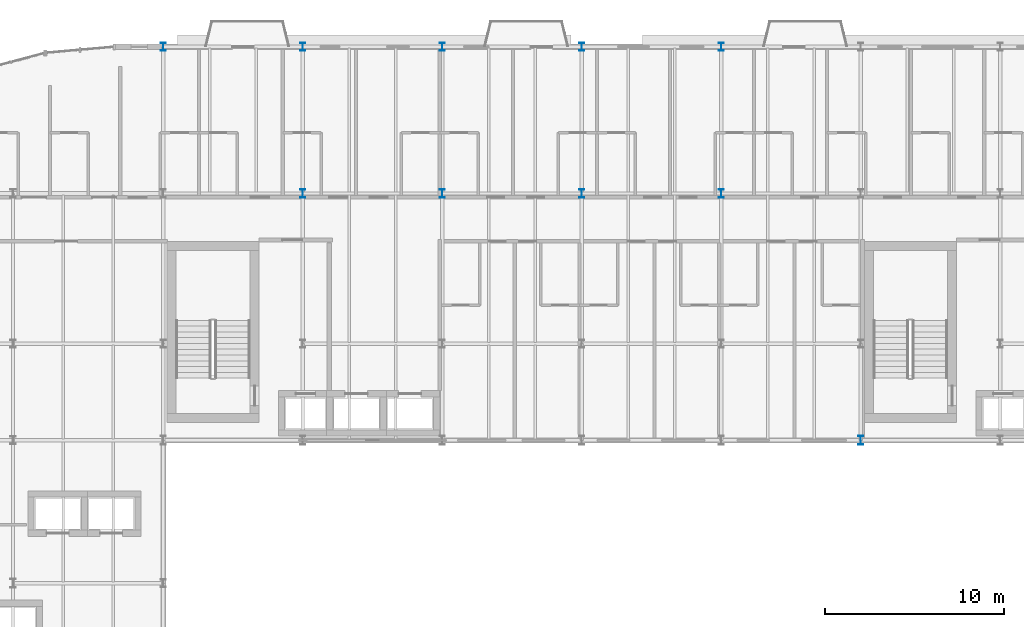
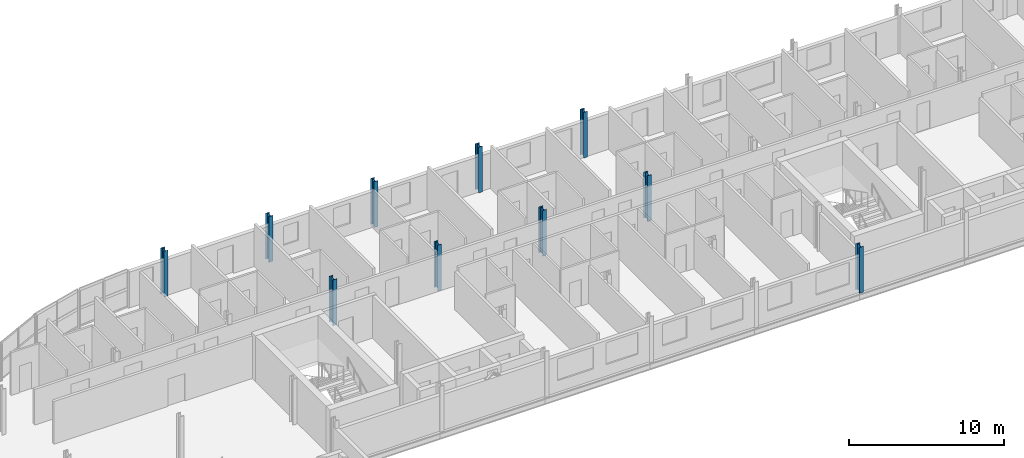
# One storey, part 3 of 36: 10 columns.
"""IFC4 building model written with IfcOpenShell, lengths in metres."""

from ifc_helpers import new_model, si_unit, direction, frame, origin, origin_2d, place, context, subcontext, project, spatial, i_section, extrude, material, material_profile, profile_set, type_object, element, save


model = new_model("IFC4")

# Units and contexts
model_context = context("Model", 3, precision=1e-05, world=origin(), true_north=direction((0.0, 1.0)))
body_context = subcontext(model_context, "Body", "Model", "MODEL_VIEW")
ifc_project = project(units=[si_unit("LENGTHUNIT", "METRE"), si_unit("AREAUNIT", "SQUARE_METRE"), si_unit("VOLUMEUNIT", "CUBIC_METRE"), si_unit("PLANEANGLEUNIT", "RADIAN"), si_unit("MASSUNIT", "GRAM", prefix="KILO")], contexts=[model_context])

# Site, building, storey
site_placement = place(None, origin())
site = spatial("IfcSite", under=ifc_project, at=site_placement, CompositionType="ELEMENT")
building_placement = place(site_placement, origin())
building = spatial("IfcBuilding", under=site, at=building_placement, Name="Sefraquen Railside Congress Hotel", CompositionType="ELEMENT")
storey_placement = place(building_placement, frame((0.0, 0.0, 28.199951171875)))
storey = spatial("IfcBuildingStorey", under=building, at=storey_placement, Name="L06", CompositionType="ELEMENT", Elevation=28.199951171875)

# Columns
ifc_material = material(Name="Steel S355JR", Category="steel")
ifc_material_profile_1 = material_profile(ifc_material, i_section(OverallWidth=0.300048828125, OverallDepth=0.449951171875, WebThickness=0.013916015625, FlangeThickness=0.02587890625, FilletRadius=0.027099609375, at=origin_2d()), Name="HEB 450")
ifc_profile_set_1 = profile_set([ifc_material_profile_1], Name="Steel S355JR")
column_type_1 = type_object("IfcColumnType", Name="TC-HEB-450", PredefinedType="COLUMN", material=ifc_profile_set_1)
for number, where, z_axis, x_axis, name in (
    (1, (25.199951171875, 118.0, 0.0), (0.0, 0.0, 1.0), (1.0, 0.0, 0.0), "Structural column 4-Q L06"),
    (2, (33.0, 118.0, 0.0), (0.0, 0.0, 1.0), (1.0, 0.0, 0.0), "Structural column 5-Q L06"),
    (3, (40.800048828125, 118.0, 0.0), (0.0, 0.0, 1.0), (1.0, 0.0, 0.0), "Structural column 6-Q L06"),
    (4, (48.60009765625, 118.0, 0.0), (0.0, 0.0, 1.0), (1.0, 0.0, 0.0), "Structural column 7-Q L06"),
    (5, (56.39990234375, 118.0, 0.0), (0.0, 0.0, 1.0), (1.0, 0.0, 0.0), "Structural column 8-Q L06"),
):
    element("IfcColumn", number, at=place(storey_placement, frame(where, z_axis=z_axis, x_axis=x_axis)), inside=storey, type_object=column_type_1, Name=name, PredefinedType="COLUMN", context=body_context, shape_type="SweptSolid", body=[
        extrude(i_section(OverallWidth=0.300048828125, OverallDepth=0.449951171875, WebThickness=0.013916015625, FlangeThickness=0.02587890625, FilletRadius=0.027099609375, at=origin_2d()), origin(), (0.0, 0.0, 1.0), 3.60009765625),
    ])
ifc_material_profile_2 = material_profile(ifc_material, i_section(OverallWidth=0.300048828125, OverallDepth=0.5, WebThickness=0.014404296875, FlangeThickness=0.028076171875, FilletRadius=0.027099609375, at=origin_2d()), Name="HEB 500")
ifc_profile_set_2 = profile_set([ifc_material_profile_2], Name="Steel S355JR")
column_type_2 = type_object("IfcColumnType", Name="TC-HEB-500", PredefinedType="COLUMN", material=ifc_profile_set_2)
for number, where, z_axis, x_axis, name in (
    (6, (33.0, 109.800048828125, 0.0), (0.0, 0.0, 1.0), (1.0, 0.0, 0.0), "Structural column 5-P L06"),
    (7, (40.800048828125, 109.800048828125, 0.0), (0.0, 0.0, 1.0), (1.0, 0.0, 0.0), "Structural column 6-P L06"),
    (8, (48.60009765625, 109.800048828125, 0.0), (0.0, 0.0, 1.0), (1.0, 0.0, 0.0), "Structural column 7-P L06"),
    (9, (56.39990234375, 109.800048828125, 0.0), (0.0, 0.0, 1.0), (1.0, 0.0, 0.0), "Structural column 8-P L06"),
    (10, (64.199951171875, 96.0, 0.0), (0.0, 0.0, 1.0), (1.0, 0.0, 0.0), "Structural column 9-M L06"),
):
    element("IfcColumn", number, at=place(storey_placement, frame(where, z_axis=z_axis, x_axis=x_axis)), inside=storey, type_object=column_type_2, Name=name, PredefinedType="COLUMN", context=body_context, shape_type="SweptSolid", body=[
        extrude(i_section(OverallWidth=0.300048828125, OverallDepth=0.5, WebThickness=0.014404296875, FlangeThickness=0.028076171875, FilletRadius=0.027099609375, at=origin_2d()), origin(), (0.0, 0.0, 1.0), 3.60009765625),
    ])

save(model, "model.ifc")
